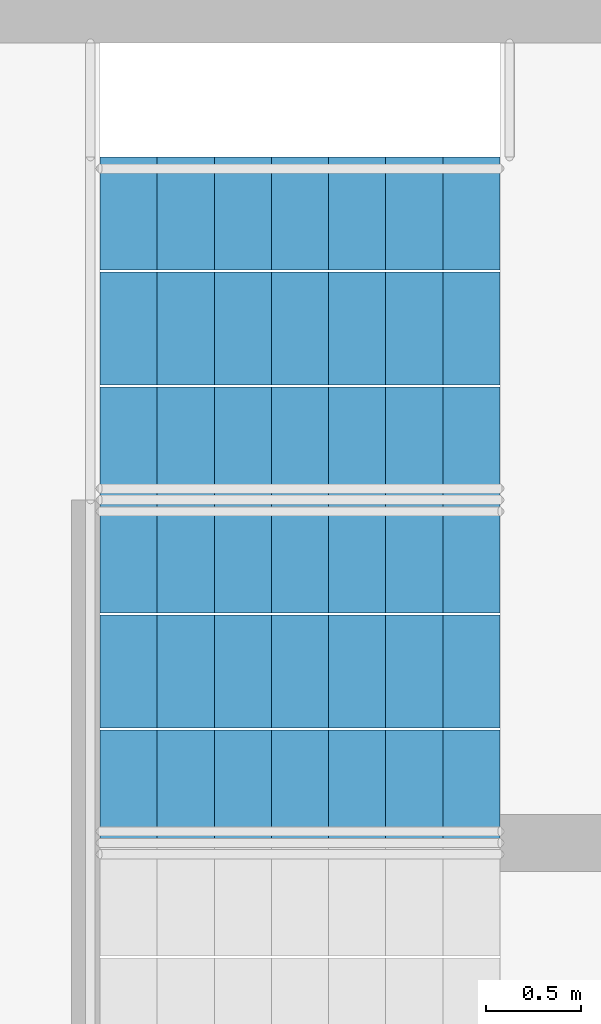
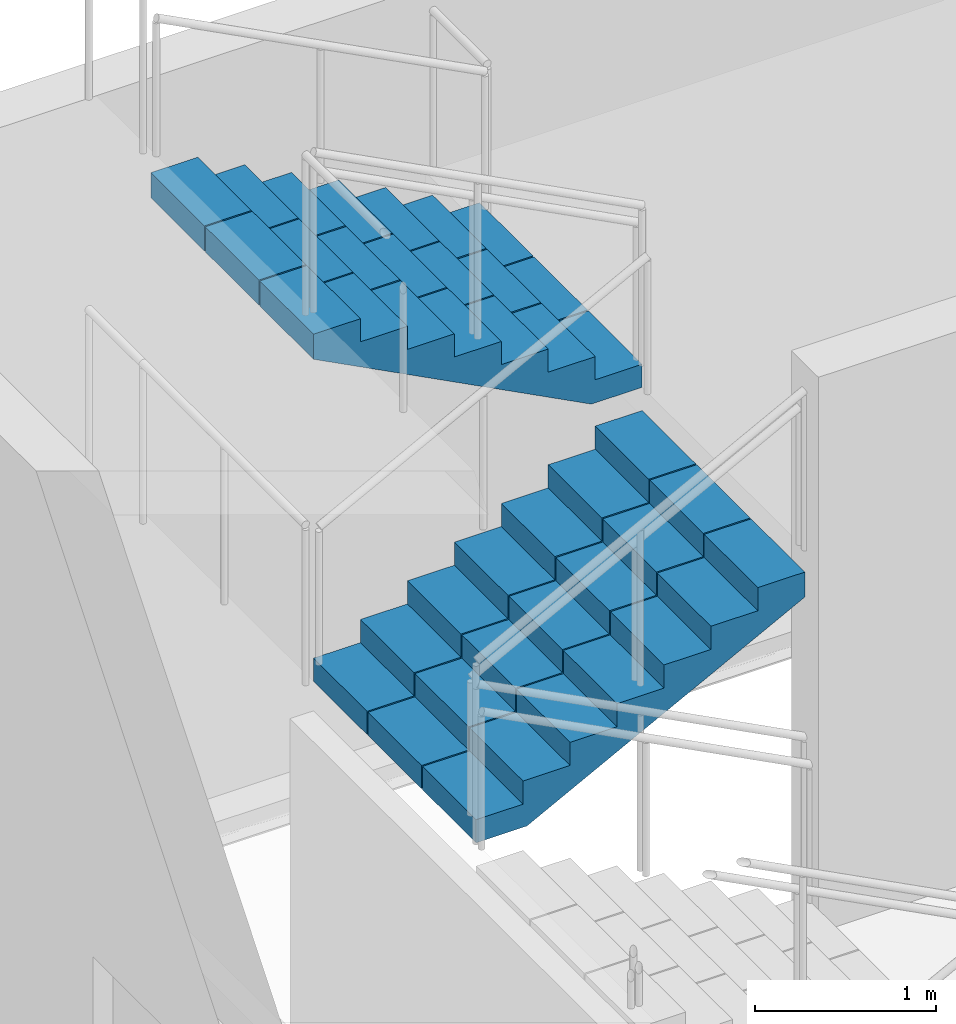
# One storey, part 94 of 115: 2 stair flights, 1 element without a shape of its own.
"""IFC4 building model written with IfcOpenShell, lengths in metres."""

from ifc_helpers import new_model, si_unit, direction, frame, origin, place, context, subcontext, project, spatial, polyline, outline, extrude, material, type_object, element, aggregate, save


model = new_model("IFC4")

# Units and contexts
model_context = context("Model", 3, precision=1e-05, world=origin(), true_north=direction((0.0, 1.0)))
body_context = subcontext(model_context, "Body", "Model", "MODEL_VIEW")
ifc_project = project(units=[si_unit("LENGTHUNIT", "METRE"), si_unit("AREAUNIT", "SQUARE_METRE"), si_unit("VOLUMEUNIT", "CUBIC_METRE"), si_unit("PLANEANGLEUNIT", "RADIAN"), si_unit("MASSUNIT", "GRAM", prefix="KILO")], contexts=[model_context])

# Site, building, storey
site_placement = place(None, origin())
site = spatial("IfcSite", under=ifc_project, at=site_placement, CompositionType="ELEMENT")
building_placement = place(site_placement, origin())
building = spatial("IfcBuilding", under=site, at=building_placement, Name="Shorebreak Coast Museum", CompositionType="ELEMENT")
storey_placement = place(building_placement, frame((0.0, 0.0, 11.0)))
storey = spatial("IfcBuildingStorey", under=building, at=storey_placement, Name="L02", CompositionType="ELEMENT", Elevation=11.0)

# Stair, stair flights
ifc_material_1 = material(Name="Concrete N40 (40 MPa)", Category="concrete")
stair_type = type_object("IfcStairType", Name="Stair run 5 m", PredefinedType="DOUBLE_RETURN_STAIR", material=ifc_material_1)
stair_placement = place(storey_placement, origin())
stair = element("IfcStair", 1, at=stair_placement, inside=storey, type_object=stair_type, Name="Exit stair ST08-L02", PredefinedType="DOUBLE_RETURN_STAIR")
ifc_material_2 = material(Name="Concrete N40 (40 MPa)", Category="concrete")
stair_flight_type = type_object("IfcStairFlightType", Name="Stair flight 8 risers 156.25", PredefinedType="STRAIGHT", material=ifc_material_2)
stair_flight_1_placement = place(storey_placement, frame((164.699951171875, 86.39990234375, 2.5), z_axis=(0.0, 0.0, 1.0), x_axis=(1.0, 0.0, 0.0)))
stair_flight_1 = element("IfcStairFlight", 2, at=stair_flight_1_placement, type_object=stair_flight_type, Name="ST08-L02 flight 3", NumberOfRisers=8, NumberOfTreads=7, PredefinedType="STRAIGHT", RiserHeight=0.15625, TreadLength=0.3, context=body_context, shape_type="SweptSolid", body=[
    extrude(outline(polyline([(0.0, 0.0), (0.0, 0.15625), (0.300048828125, 0.15625), (0.300048828125, 0.3125), (0.60009765625, 0.3125), (0.60009765625, 0.46875), (0.89990234375, 0.46875), (0.89990234375, 0.625), (1.199951171875, 0.625), (1.199951171875, 0.78125), (1.5, 0.78125), (1.5, 0.9375), (1.800048828125, 0.9375), (1.800048828125, 1.09375), (2.10009765625, 1.09375), (2.10009765625, 1.25), (2.10009765625, 0.9248046875), (0.324462890625, 0.0), (0.0, 0.0)])), frame((0.0, 0.89990234375, 0.0), z_axis=(0.0, -1.0, 0.0), x_axis=(1.0, 0.0, 0.0)), (0.0, 0.0, 1.0), 0.59326171875),
    extrude(outline(polyline([(0.0, 0.0), (0.0, 0.15625), (0.300048828125, 0.15625), (0.300048828125, 0.3125), (0.60009765625, 0.3125), (0.60009765625, 0.46875), (0.89990234375, 0.46875), (0.89990234375, 0.625), (1.199951171875, 0.625), (1.199951171875, 0.78125), (1.5, 0.78125), (1.5, 0.9375), (1.800048828125, 0.9375), (1.800048828125, 1.09375), (2.10009765625, 1.09375), (2.10009765625, 1.25), (2.10009765625, 0.9248046875), (0.324462890625, 0.0), (0.0, 0.0)])), frame((0.0, 0.296630859375, 0.0), z_axis=(0.0, -1.0, 0.0), x_axis=(1.0, 0.0, 0.0)), (0.0, 0.0, 1.0), 0.59326171875),
    extrude(outline(polyline([(0.0, 0.0), (0.0, 0.15625), (0.300048828125, 0.15625), (0.300048828125, 0.3125), (0.60009765625, 0.3125), (0.60009765625, 0.46875), (0.89990234375, 0.46875), (0.89990234375, 0.625), (1.199951171875, 0.625), (1.199951171875, 0.78125), (1.5, 0.78125), (1.5, 0.9375), (1.800048828125, 0.9375), (1.800048828125, 1.09375), (2.10009765625, 1.09375), (2.10009765625, 1.25), (2.10009765625, 0.9248046875), (0.324462890625, 0.0), (0.0, 0.0)])), frame((0.0, -0.306640625, 0.0), z_axis=(0.0, -1.0, 0.0), x_axis=(1.0, 0.0, 0.0)), (0.0, 0.0, 1.0), 0.59326171875),
])
stair_flight_2_placement = place(storey_placement, frame((166.800048828125, 88.199951171875, 3.75), z_axis=(0.0, 0.0, 1.0), x_axis=(-1.0, 0.0, 0.0)))
stair_flight_2 = element("IfcStairFlight", 3, at=stair_flight_2_placement, type_object=stair_flight_type, Name="ST08-L02 flight 4", NumberOfRisers=8, NumberOfTreads=7, PredefinedType="STRAIGHT", RiserHeight=0.15625, TreadLength=0.3, context=body_context, shape_type="SweptSolid", body=[
    extrude(outline(polyline([(0.0, 0.0), (0.0, 0.15625), (0.300048828125, 0.15625), (0.300048828125, 0.3125), (0.60009765625, 0.3125), (0.60009765625, 0.46875), (0.89990234375, 0.46875), (0.89990234375, 0.625), (1.199951171875, 0.625), (1.199951171875, 0.78125), (1.5, 0.78125), (1.5, 0.9375), (1.800048828125, 0.9375), (1.800048828125, 1.09375), (2.10009765625, 1.09375), (2.10009765625, 1.25), (2.10009765625, 0.9248046875), (0.324462890625, 0.0), (0.0, 0.0)])), frame((0.0, 0.89990234375, 0.0), z_axis=(0.0, -1.0, 0.0), x_axis=(1.0, 0.0, 0.0)), (0.0, 0.0, 1.0), 0.59326171875),
    extrude(outline(polyline([(0.0, 0.0), (0.0, 0.15625), (0.300048828125, 0.15625), (0.300048828125, 0.3125), (0.60009765625, 0.3125), (0.60009765625, 0.46875), (0.89990234375, 0.46875), (0.89990234375, 0.625), (1.199951171875, 0.625), (1.199951171875, 0.78125), (1.5, 0.78125), (1.5, 0.9375), (1.800048828125, 0.9375), (1.800048828125, 1.09375), (2.10009765625, 1.09375), (2.10009765625, 1.25), (2.10009765625, 0.9248046875), (0.324462890625, 0.0), (0.0, 0.0)])), frame((0.0, 0.296630859375, 0.0), z_axis=(0.0, -1.0, 0.0), x_axis=(1.0, 0.0, 0.0)), (0.0, 0.0, 1.0), 0.59326171875),
    extrude(outline(polyline([(0.0, 0.0), (0.0, 0.15625), (0.300048828125, 0.15625), (0.300048828125, 0.3125), (0.60009765625, 0.3125), (0.60009765625, 0.46875), (0.89990234375, 0.46875), (0.89990234375, 0.625), (1.199951171875, 0.625), (1.199951171875, 0.78125), (1.5, 0.78125), (1.5, 0.9375), (1.800048828125, 0.9375), (1.800048828125, 1.09375), (2.10009765625, 1.09375), (2.10009765625, 1.25), (2.10009765625, 0.9248046875), (0.324462890625, 0.0), (0.0, 0.0)])), frame((0.0, -0.306640625, 0.0), z_axis=(0.0, -1.0, 0.0), x_axis=(1.0, 0.0, 0.0)), (0.0, 0.0, 1.0), 0.59326171875),
])
aggregate(stair, [stair_flight_1, stair_flight_2])

save(model, "model.ifc")
